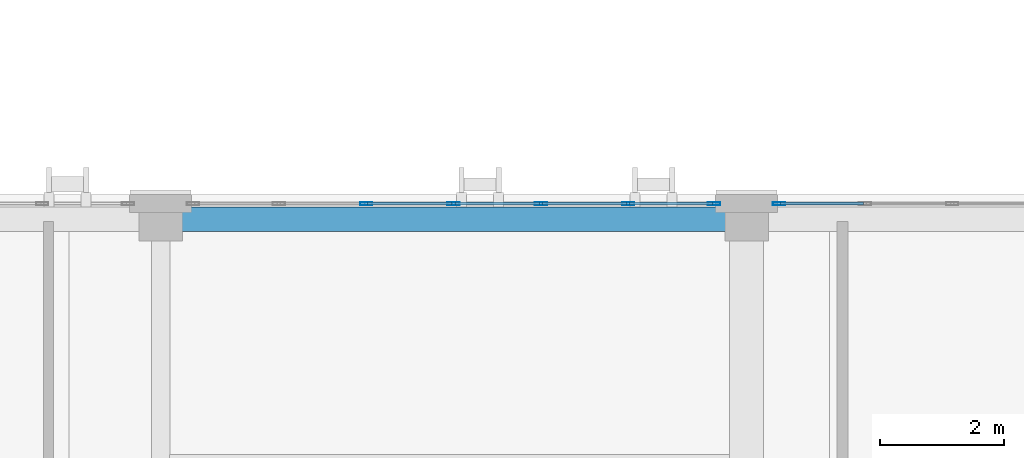
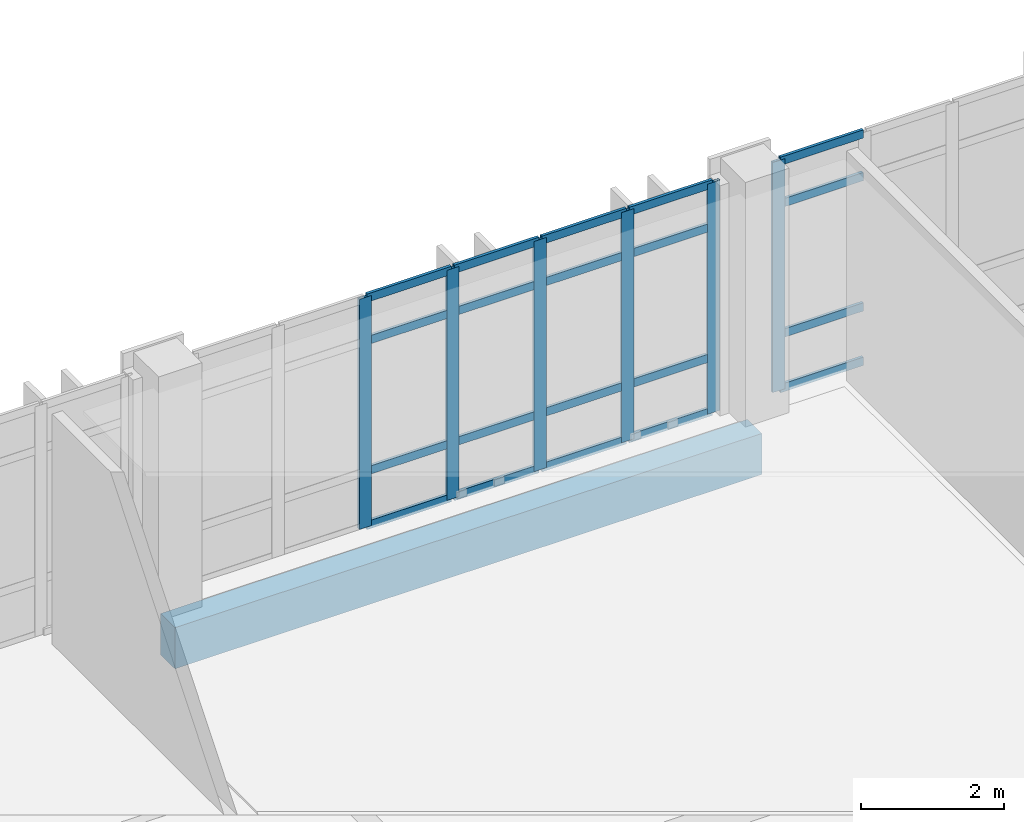
# One storey, part 41 of 165: 26 members, 1 beam, 2 elements without a shape of their own.
"""IFC4 building model written with IfcOpenShell, lengths in metres."""

from ifc_helpers import new_model, si_unit, direction, frame, origin, origin_2d, place, context, subcontext, project, spatial, rectangle, hollow_rectangle, extrude, material, layer, layer_set, material_profile, profile_set, type_object, element, aggregate, save


model = new_model("IFC4")

# Units and contexts
model_context = context("Model", 3, precision=1e-05, world=origin(), true_north=direction((0.0, 1.0)))
body_context = subcontext(model_context, "Body", "Model", "MODEL_VIEW")
ifc_project = project(units=[si_unit("LENGTHUNIT", "METRE"), si_unit("AREAUNIT", "SQUARE_METRE"), si_unit("VOLUMEUNIT", "CUBIC_METRE"), si_unit("PLANEANGLEUNIT", "RADIAN"), si_unit("MASSUNIT", "GRAM", prefix="KILO")], contexts=[model_context])

# Site, building, storey
site_placement = place(None, origin())
site = spatial("IfcSite", under=ifc_project, at=site_placement, CompositionType="ELEMENT")
building_placement = place(site_placement, origin())
building = spatial("IfcBuilding", under=site, at=building_placement, Name="Qalavern Law Courts", CompositionType="ELEMENT")
storey_placement = place(building_placement, frame((0.0, 0.0, 14.39990234375)))
storey = spatial("IfcBuildingStorey", under=building, at=storey_placement, Name="L03", CompositionType="ELEMENT", Elevation=14.39990234375)

# Curtain wall, member
ifc_material_1 = material(Name="Anodised aluminium and insulated glazing", Category="aluminium")
ifc_layer = layer(ifc_material_1, 0.18505859375)
ifc_layer_set = layer_set([ifc_layer], Name="Anodised aluminium and insulated glazing")
curtain_wall_type = type_object("IfcCurtainWallType", Name="ENV-CW-HALL", PredefinedType="USERDEFINED", material=ifc_layer_set)
curtain_wall_1_placement = place(storey_placement, origin())
curtain_wall_1 = element("IfcCurtainWall", 1, at=curtain_wall_1_placement, inside=storey, type_object=curtain_wall_type, Name="V2 unitised curtain wall L03 north 2", ObjectType="UNITISED CURTAIN WALL", PredefinedType="USERDEFINED")
ifc_material_2 = material(Name="Anodised aluminium", Category="aluminium")
ifc_material_profile_1 = material_profile(ifc_material_2, hollow_rectangle(XDim=0.048095703125, YDim=0.199951171875, WallThickness=0.00439453125, at=origin_2d()), Name="ALU MULLION 48x200")
ifc_profile_set_1 = profile_set([ifc_material_profile_1], Name="Anodised aluminium")
member_type_1 = type_object("IfcMemberType", Name="ENV-CWM-48x200", PredefinedType="MULLION", material=ifc_profile_set_1)
member_1_placement = place(storey_placement, frame((72.961181640625, 30.25244140625, 0.0), z_axis=(0.0, 0.0, 1.0), x_axis=(0.0, -1.0, 0.0)))
member_1 = element("IfcMember", 2, at=member_1_placement, type_object=member_type_1, Name="CW-02 mullion 7", PredefinedType="MULLION", context=body_context, shape_type="SweptSolid", body=[
    extrude(hollow_rectangle(XDim=0.048095703125, YDim=0.199951171875, WallThickness=0.00439453125, at=origin_2d()), origin(), (0.0, 0.0, 1.0), 3.920166015625),
])

# Curtain wall, members
curtain_wall_2_placement = place(storey_placement, origin())
curtain_wall_2 = element("IfcCurtainWall", 3, at=curtain_wall_2_placement, inside=storey, type_object=curtain_wall_type, Name="V2 unitised curtain wall L03 north 3", ObjectType="UNITISED CURTAIN WALL", PredefinedType="USERDEFINED")
member_2_placement = place(storey_placement, frame((71.9130859375, 30.25244140625, 0.0), z_axis=(0.0, 0.0, 1.0), x_axis=(0.0, -1.0, 0.0)))
member_2 = element("IfcMember", 4, at=member_2_placement, type_object=member_type_1, Name="CW-02 mullion 1", PredefinedType="MULLION", context=body_context, shape_type="SweptSolid", body=[
    extrude(hollow_rectangle(XDim=0.048095703125, YDim=0.199951171875, WallThickness=0.00439453125, at=origin_2d()), origin(), (0.0, 0.0, 1.0), 3.920166015625),
])
member_3_placement = place(storey_placement, frame((70.528076171875, 30.25244140625, 0.0), z_axis=(0.0, 0.0, 1.0), x_axis=(0.0, -1.0, 0.0)))
member_3 = element("IfcMember", 5, at=member_3_placement, type_object=member_type_1, Name="CW-02 mullion 2", PredefinedType="MULLION", context=body_context, shape_type="SweptSolid", body=[
    extrude(hollow_rectangle(XDim=0.048095703125, YDim=0.199951171875, WallThickness=0.00439453125, at=origin_2d()), origin(), (0.0, 0.0, 1.0), 3.920166015625),
])
member_4_placement = place(storey_placement, frame((69.119140625, 30.25244140625, 0.0), z_axis=(0.0, 0.0, 1.0), x_axis=(0.0, -1.0, 0.0)))
member_4 = element("IfcMember", 6, at=member_4_placement, type_object=member_type_1, Name="CW-02 mullion 3", PredefinedType="MULLION", context=body_context, shape_type="SweptSolid", body=[
    extrude(hollow_rectangle(XDim=0.048095703125, YDim=0.199951171875, WallThickness=0.00439453125, at=origin_2d()), origin(), (0.0, 0.0, 1.0), 3.920166015625),
])
member_5_placement = place(storey_placement, frame((67.7099609375, 30.25244140625, 0.0), z_axis=(0.0, 0.0, 1.0), x_axis=(0.0, -1.0, 0.0)))
member_5 = element("IfcMember", 7, at=member_5_placement, type_object=member_type_1, Name="CW-02 mullion 4", PredefinedType="MULLION", context=body_context, shape_type="SweptSolid", body=[
    extrude(hollow_rectangle(XDim=0.048095703125, YDim=0.199951171875, WallThickness=0.00439453125, at=origin_2d()), origin(), (0.0, 0.0, 1.0), 3.920166015625),
])
member_6_placement = place(storey_placement, frame((66.301025390625, 30.25244140625, 0.0), z_axis=(0.0, 0.0, 1.0), x_axis=(0.0, -1.0, 0.0)))
member_6 = element("IfcMember", 8, at=member_6_placement, type_object=member_type_1, Name="CW-02 mullion 5", PredefinedType="MULLION", context=body_context, shape_type="SweptSolid", body=[
    extrude(hollow_rectangle(XDim=0.048095703125, YDim=0.199951171875, WallThickness=0.00439453125, at=origin_2d()), origin(), (0.0, 0.0, 1.0), 3.920166015625),
])

# Member
ifc_material_profile_2 = material_profile(ifc_material_2, hollow_rectangle(XDim=0.048095703125, YDim=0.139892578125, WallThickness=0.00390625, at=origin_2d()), Name="ALU TRANSOM 48x140")
ifc_profile_set_2 = profile_set([ifc_material_profile_2], Name="Anodised aluminium")
member_type_2 = type_object("IfcMemberType", Name="ENV-CWT-48x140", PredefinedType="USERDEFINED", material=ifc_profile_set_2)
member_7_placement = place(storey_placement, frame((74.322265625, 30.25244140625, 0.024169921875), z_axis=(-1.0, 0.0, 0.0), x_axis=(0.0, -1.0, 0.0)))
member_7 = element("IfcMember", 9, at=member_7_placement, type_object=member_type_2, Name="CW-02 transom 6.1", ObjectType="TRANSOM", PredefinedType="USERDEFINED", context=body_context, shape_type="SweptSolid", body=[
    extrude(hollow_rectangle(XDim=0.048095703125, YDim=0.139892578125, WallThickness=0.00390625, at=origin_2d()), origin(), (0.0, 0.0, 1.0), 1.337158203125),
])

member_8_placement = place(storey_placement, frame((74.322265625, 30.25244140625, 0.9501953125), z_axis=(-1.0, 0.0, 0.0), x_axis=(0.0, -1.0, 0.0)))
member_8 = element("IfcMember", 10, at=member_8_placement, type_object=member_type_2, Name="CW-02 transom 6.2", ObjectType="TRANSOM", PredefinedType="USERDEFINED", context=body_context, shape_type="SweptSolid", body=[
    extrude(hollow_rectangle(XDim=0.048095703125, YDim=0.139892578125, WallThickness=0.00390625, at=origin_2d()), origin(), (0.0, 0.0, 1.0), 1.337158203125),
])

member_9_placement = place(storey_placement, frame((74.322265625, 30.25244140625, 3.170166015625), z_axis=(-1.0, 0.0, 0.0), x_axis=(0.0, -1.0, 0.0)))
member_9 = element("IfcMember", 11, at=member_9_placement, type_object=member_type_2, Name="CW-02 transom 6.3", ObjectType="TRANSOM", PredefinedType="USERDEFINED", context=body_context, shape_type="SweptSolid", body=[
    extrude(hollow_rectangle(XDim=0.048095703125, YDim=0.139892578125, WallThickness=0.00390625, at=origin_2d()), origin(), (0.0, 0.0, 1.0), 1.337158203125),
])

member_10_placement = place(storey_placement, frame((74.322265625, 30.25244140625, 3.89599609375), z_axis=(-1.0, 0.0, 0.0), x_axis=(0.0, -1.0, 0.0)))
member_10 = element("IfcMember", 12, at=member_10_placement, type_object=member_type_2, Name="CW-02 transom 6.4", ObjectType="TRANSOM", PredefinedType="USERDEFINED", context=body_context, shape_type="SweptSolid", body=[
    extrude(hollow_rectangle(XDim=0.048095703125, YDim=0.139892578125, WallThickness=0.00390625, at=origin_2d()), origin(), (0.0, 0.0, 1.0), 1.337158203125),
])

aggregate(curtain_wall_1, [member_1, member_7, member_8, member_9, member_10])

member_11_placement = place(storey_placement, frame((71.88916015625, 30.25244140625, 0.024169921875), z_axis=(-1.0, 0.0, 0.0), x_axis=(0.0, -1.0, 0.0)))
member_11 = element("IfcMember", 13, at=member_11_placement, type_object=member_type_2, Name="CW-02 transom 1.1", ObjectType="TRANSOM", PredefinedType="USERDEFINED", context=body_context, shape_type="SweptSolid", body=[
    extrude(hollow_rectangle(XDim=0.048095703125, YDim=0.139892578125, WallThickness=0.00390625, at=origin_2d()), origin(), (0.0, 0.0, 1.0), 1.337158203125),
])

member_12_placement = place(storey_placement, frame((71.88916015625, 30.25244140625, 0.9501953125), z_axis=(-1.0, 0.0, 0.0), x_axis=(0.0, -1.0, 0.0)))
member_12 = element("IfcMember", 14, at=member_12_placement, type_object=member_type_2, Name="CW-02 transom 1.2", ObjectType="TRANSOM", PredefinedType="USERDEFINED", context=body_context, shape_type="SweptSolid", body=[
    extrude(hollow_rectangle(XDim=0.048095703125, YDim=0.139892578125, WallThickness=0.00390625, at=origin_2d()), origin(), (0.0, 0.0, 1.0), 1.337158203125),
])

member_13_placement = place(storey_placement, frame((71.88916015625, 30.25244140625, 3.170166015625), z_axis=(-1.0, 0.0, 0.0), x_axis=(0.0, -1.0, 0.0)))
member_13 = element("IfcMember", 15, at=member_13_placement, type_object=member_type_2, Name="CW-02 transom 1.3", ObjectType="TRANSOM", PredefinedType="USERDEFINED", context=body_context, shape_type="SweptSolid", body=[
    extrude(hollow_rectangle(XDim=0.048095703125, YDim=0.139892578125, WallThickness=0.00390625, at=origin_2d()), origin(), (0.0, 0.0, 1.0), 1.337158203125),
])

member_14_placement = place(storey_placement, frame((71.88916015625, 30.25244140625, 3.89599609375), z_axis=(-1.0, 0.0, 0.0), x_axis=(0.0, -1.0, 0.0)))
member_14 = element("IfcMember", 16, at=member_14_placement, type_object=member_type_2, Name="CW-02 transom 1.4", ObjectType="TRANSOM", PredefinedType="USERDEFINED", context=body_context, shape_type="SweptSolid", body=[
    extrude(hollow_rectangle(XDim=0.048095703125, YDim=0.139892578125, WallThickness=0.00390625, at=origin_2d()), origin(), (0.0, 0.0, 1.0), 1.337158203125),
])

member_15_placement = place(storey_placement, frame((70.504150390625, 30.25244140625, 0.024169921875), z_axis=(-1.0, 0.0, 0.0), x_axis=(0.0, -1.0, 0.0)))
member_15 = element("IfcMember", 17, at=member_15_placement, type_object=member_type_2, Name="CW-02 transom 2.1", ObjectType="TRANSOM", PredefinedType="USERDEFINED", context=body_context, shape_type="SweptSolid", body=[
    extrude(hollow_rectangle(XDim=0.048095703125, YDim=0.139892578125, WallThickness=0.00390625, at=origin_2d()), origin(), (0.0, 0.0, 1.0), 1.361083984375),
])

member_16_placement = place(storey_placement, frame((70.504150390625, 30.25244140625, 0.9501953125), z_axis=(-1.0, 0.0, 0.0), x_axis=(0.0, -1.0, 0.0)))
member_16 = element("IfcMember", 18, at=member_16_placement, type_object=member_type_2, Name="CW-02 transom 2.2", ObjectType="TRANSOM", PredefinedType="USERDEFINED", context=body_context, shape_type="SweptSolid", body=[
    extrude(hollow_rectangle(XDim=0.048095703125, YDim=0.139892578125, WallThickness=0.00390625, at=origin_2d()), origin(), (0.0, 0.0, 1.0), 1.361083984375),
])

member_17_placement = place(storey_placement, frame((70.504150390625, 30.25244140625, 3.170166015625), z_axis=(-1.0, 0.0, 0.0), x_axis=(0.0, -1.0, 0.0)))
member_17 = element("IfcMember", 19, at=member_17_placement, type_object=member_type_2, Name="CW-02 transom 2.3", ObjectType="TRANSOM", PredefinedType="USERDEFINED", context=body_context, shape_type="SweptSolid", body=[
    extrude(hollow_rectangle(XDim=0.048095703125, YDim=0.139892578125, WallThickness=0.00390625, at=origin_2d()), origin(), (0.0, 0.0, 1.0), 1.361083984375),
])

member_18_placement = place(storey_placement, frame((70.504150390625, 30.25244140625, 3.89599609375), z_axis=(-1.0, 0.0, 0.0), x_axis=(0.0, -1.0, 0.0)))
member_18 = element("IfcMember", 20, at=member_18_placement, type_object=member_type_2, Name="CW-02 transom 2.4", ObjectType="TRANSOM", PredefinedType="USERDEFINED", context=body_context, shape_type="SweptSolid", body=[
    extrude(hollow_rectangle(XDim=0.048095703125, YDim=0.139892578125, WallThickness=0.00390625, at=origin_2d()), origin(), (0.0, 0.0, 1.0), 1.361083984375),
])

member_19_placement = place(storey_placement, frame((69.094970703125, 30.25244140625, 0.024169921875), z_axis=(-1.0, 0.0, 0.0), x_axis=(0.0, -1.0, 0.0)))
member_19 = element("IfcMember", 21, at=member_19_placement, type_object=member_type_2, Name="CW-02 transom 3.1", ObjectType="TRANSOM", PredefinedType="USERDEFINED", context=body_context, shape_type="SweptSolid", body=[
    extrude(hollow_rectangle(XDim=0.048095703125, YDim=0.139892578125, WallThickness=0.00390625, at=origin_2d()), origin(), (0.0, 0.0, 1.0), 1.361083984375),
])

member_20_placement = place(storey_placement, frame((69.094970703125, 30.25244140625, 0.9501953125), z_axis=(-1.0, 0.0, 0.0), x_axis=(0.0, -1.0, 0.0)))
member_20 = element("IfcMember", 22, at=member_20_placement, type_object=member_type_2, Name="CW-02 transom 3.2", ObjectType="TRANSOM", PredefinedType="USERDEFINED", context=body_context, shape_type="SweptSolid", body=[
    extrude(hollow_rectangle(XDim=0.048095703125, YDim=0.139892578125, WallThickness=0.00390625, at=origin_2d()), origin(), (0.0, 0.0, 1.0), 1.361083984375),
])

member_21_placement = place(storey_placement, frame((69.094970703125, 30.25244140625, 3.170166015625), z_axis=(-1.0, 0.0, 0.0), x_axis=(0.0, -1.0, 0.0)))
member_21 = element("IfcMember", 23, at=member_21_placement, type_object=member_type_2, Name="CW-02 transom 3.3", ObjectType="TRANSOM", PredefinedType="USERDEFINED", context=body_context, shape_type="SweptSolid", body=[
    extrude(hollow_rectangle(XDim=0.048095703125, YDim=0.139892578125, WallThickness=0.00390625, at=origin_2d()), origin(), (0.0, 0.0, 1.0), 1.361083984375),
])

member_22_placement = place(storey_placement, frame((69.094970703125, 30.25244140625, 3.89599609375), z_axis=(-1.0, 0.0, 0.0), x_axis=(0.0, -1.0, 0.0)))
member_22 = element("IfcMember", 24, at=member_22_placement, type_object=member_type_2, Name="CW-02 transom 3.4", ObjectType="TRANSOM", PredefinedType="USERDEFINED", context=body_context, shape_type="SweptSolid", body=[
    extrude(hollow_rectangle(XDim=0.048095703125, YDim=0.139892578125, WallThickness=0.00390625, at=origin_2d()), origin(), (0.0, 0.0, 1.0), 1.361083984375),
])

member_23_placement = place(storey_placement, frame((67.68603515625, 30.25244140625, 0.024169921875), z_axis=(-1.0, 0.0, 0.0), x_axis=(0.0, -1.0, 0.0)))
member_23 = element("IfcMember", 25, at=member_23_placement, type_object=member_type_2, Name="CW-02 transom 4.1", ObjectType="TRANSOM", PredefinedType="USERDEFINED", context=body_context, shape_type="SweptSolid", body=[
    extrude(hollow_rectangle(XDim=0.048095703125, YDim=0.139892578125, WallThickness=0.00390625, at=origin_2d()), origin(), (0.0, 0.0, 1.0), 1.361083984375),
])

member_24_placement = place(storey_placement, frame((67.68603515625, 30.25244140625, 0.9501953125), z_axis=(-1.0, 0.0, 0.0), x_axis=(0.0, -1.0, 0.0)))
member_24 = element("IfcMember", 26, at=member_24_placement, type_object=member_type_2, Name="CW-02 transom 4.2", ObjectType="TRANSOM", PredefinedType="USERDEFINED", context=body_context, shape_type="SweptSolid", body=[
    extrude(hollow_rectangle(XDim=0.048095703125, YDim=0.139892578125, WallThickness=0.00390625, at=origin_2d()), origin(), (0.0, 0.0, 1.0), 1.361083984375),
])

member_25_placement = place(storey_placement, frame((67.68603515625, 30.25244140625, 3.170166015625), z_axis=(-1.0, 0.0, 0.0), x_axis=(0.0, -1.0, 0.0)))
member_25 = element("IfcMember", 27, at=member_25_placement, type_object=member_type_2, Name="CW-02 transom 4.3", ObjectType="TRANSOM", PredefinedType="USERDEFINED", context=body_context, shape_type="SweptSolid", body=[
    extrude(hollow_rectangle(XDim=0.048095703125, YDim=0.139892578125, WallThickness=0.00390625, at=origin_2d()), origin(), (0.0, 0.0, 1.0), 1.361083984375),
])

member_26_placement = place(storey_placement, frame((67.68603515625, 30.25244140625, 3.89599609375), z_axis=(-1.0, 0.0, 0.0), x_axis=(0.0, -1.0, 0.0)))
member_26 = element("IfcMember", 28, at=member_26_placement, type_object=member_type_2, Name="CW-02 transom 4.4", ObjectType="TRANSOM", PredefinedType="USERDEFINED", context=body_context, shape_type="SweptSolid", body=[
    extrude(hollow_rectangle(XDim=0.048095703125, YDim=0.139892578125, WallThickness=0.00390625, at=origin_2d()), origin(), (0.0, 0.0, 1.0), 1.361083984375),
])

aggregate(curtain_wall_2, [member_2, member_3, member_4, member_5, member_6, member_11, member_12, member_13, member_14, member_15, member_16, member_17, member_18, member_19, member_20, member_21, member_22, member_23, member_24, member_25, member_26])

# Beam
ifc_material_3 = material(Name="Concrete C40/50", Category="concrete")
ifc_material_profile_3 = material_profile(ifc_material_3, rectangle(XDim=0.39990234375, YDim=0.699951171875, at=origin_2d()), Name="RC 400x700")
ifc_profile_set_3 = profile_set([ifc_material_profile_3], Name="Concrete C40/50")
beam_type = type_object("IfcBeamType", Name="STR-SP-RC400x700", PredefinedType="SPANDREL", material=ifc_profile_set_3)
beam_placement = place(storey_placement, frame((62.98291015625, 30.0, -0.635009765625), z_axis=(1.0, 0.0, 0.0), x_axis=(0.0, 1.0, 0.0)))
element("IfcBeam", 29, at=beam_placement, inside=storey, type_object=beam_type, Name="V2 X-beam 4-4 L03", PredefinedType="SPANDREL", context=body_context, shape_type="SweptSolid", body=[
    extrude(rectangle(XDim=0.39990234375, YDim=0.699951171875, at=origin_2d()), origin(), (0.0, 0.0, 1.0), 9.4541015625),
])

save(model, "model.ifc")
